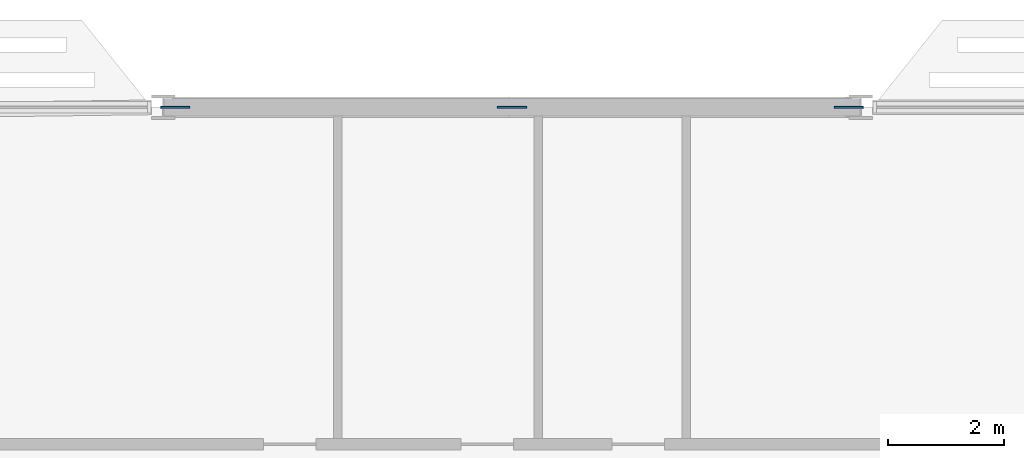
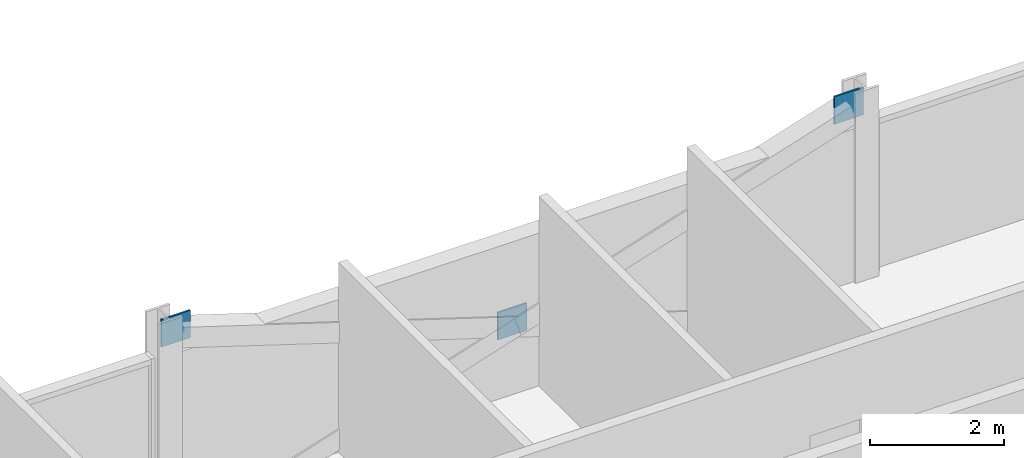
# One storey, part 19 of 27: 3 discrete accessories.
"""IFC4 building model written with IfcOpenShell, lengths in metres."""

from ifc_helpers import new_model, si_unit, direction, frame, origin, origin_2d, place, context, subcontext, project, spatial, rectangle, extrude, material, layer, layer_set, type_object, element, save


model = new_model("IFC4")

# Units and contexts
model_context = context("Model", 3, precision=1e-05, world=origin(), true_north=direction((0.0, 1.0)))
body_context = subcontext(model_context, "Body", "Model", "MODEL_VIEW")
ifc_project = project(units=[si_unit("LENGTHUNIT", "METRE"), si_unit("AREAUNIT", "SQUARE_METRE"), si_unit("VOLUMEUNIT", "CUBIC_METRE"), si_unit("PLANEANGLEUNIT", "RADIAN"), si_unit("MASSUNIT", "GRAM", prefix="KILO")], contexts=[model_context])

# Site, building, storey
site_placement = place(None, origin())
site = spatial("IfcSite", under=ifc_project, at=site_placement, CompositionType="ELEMENT")
building_placement = place(site_placement, origin())
building = spatial("IfcBuilding", under=site, at=building_placement, Name="Mahtab Terrace Research Tower", CompositionType="ELEMENT")
storey_placement = place(building_placement, frame((0.0, 0.0, 178.199951171875)))
storey = spatial("IfcBuildingStorey", under=building, at=storey_placement, Name="L42", CompositionType="ELEMENT", Elevation=178.199951171875)

# Discrete accessories
ifc_material = material(Name="Steel ASTM A992 Gr 50", Category="steel")
ifc_layer = layer(ifc_material, 0.030029296875)
ifc_layer_set = layer_set([ifc_layer], Name="Gusset plate 500x500x30")
discrete_accessory_type = type_object("IfcDiscreteAccessoryType", Name="Gusset plate 500x500x30", PredefinedType="USERDEFINED", material=ifc_layer_set)
for number, where, z_axis, x_axis, name in (
    (1, (-29.796875, 23.0, 2.870849609375), (0.0, 0.0, 1.0), (1.0, 0.0, 0.0), "Gusset plate"),
    (2, (-24.0, 23.0, 0.970947265625), (0.0, 0.0, 1.0), (1.0, 0.0, 0.0), "Gusset plate"),
    (3, (-18.203125, 23.0, 2.870849609375), (0.0, 0.0, 1.0), (1.0, 0.0, 0.0), "Gusset plate"),
):
    element("IfcDiscreteAccessory", number, at=place(storey_placement, frame(where, z_axis=z_axis, x_axis=x_axis)), inside=storey, type_object=discrete_accessory_type, Name=name, ObjectType="GUSSET PLATE", PredefinedType="USERDEFINED", context=body_context, shape_type="SweptSolid", body=[
        extrude(rectangle(XDim=0.5, YDim=0.030029296875, at=origin_2d()), origin(), (0.0, 0.0, 1.0), 0.5),
    ])

save(model, "model.ifc")
